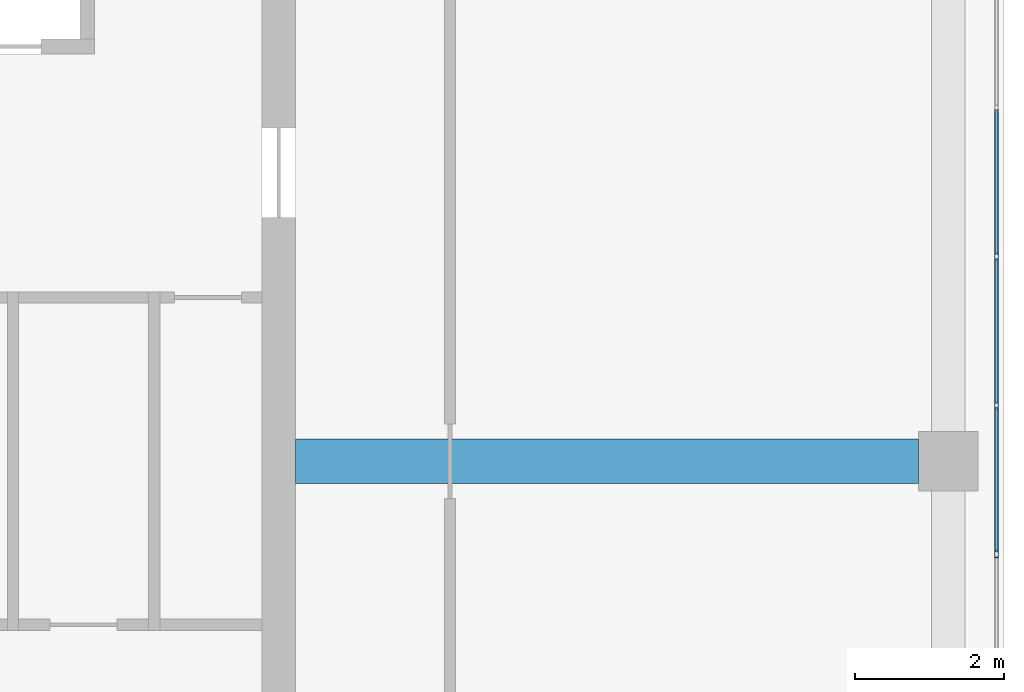
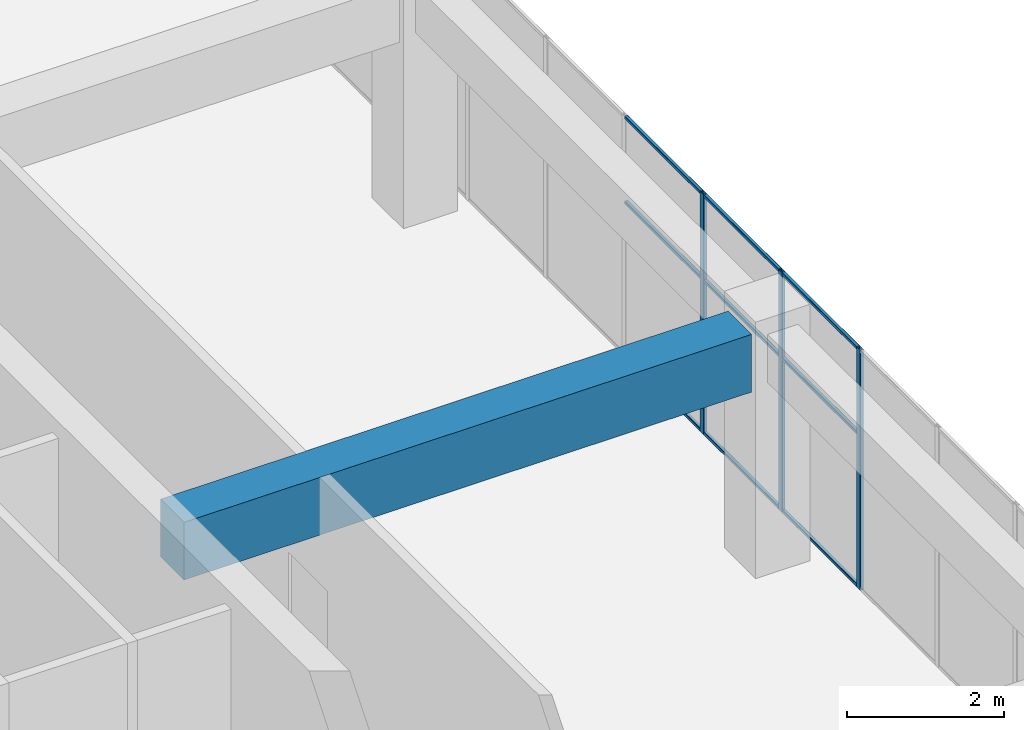
# One storey, part 41 of 66: 12 members, 1 beam, 1 element without a shape of its own.
"""IFC4 building model written with IfcOpenShell, lengths in metres."""

import ifcopenshell
import ifcopenshell.guid

model = None  # the IFC model being written
_history = None  # IfcOwnerHistory: only IFC2X3 demands one
_inside = {}  # id of a spatial element -> (the spatial element, [elements in it])
_under = {}  # id of a project, library or spatial element -> (it, [spatial elements below it])
_declared = {}  # id of a project -> (the project, [libraries it declares])
_typed = {}  # id of a type object -> (the type object, [elements of that type])
_made_of = {}  # id of a material, layer set ... -> (it, [elements and type objects made of it])


def new_model(schema):
    """Start an empty IFC model of exactly this schema.

    Asked for "IFC4X3", IfcOpenShell would pick the latest addendum, in which some entities
    have other attributes; the version numbers below select the first issue.
    IFC2X3 requires an IfcOwnerHistory on every rooted entity: one is made here for all.
    """
    global model, _history
    if schema == "IFC4X3":
        model = ifcopenshell.file(schema_version=(4, 3, 0, 0))
    else:
        model = ifcopenshell.file(schema=schema)
    _inside.clear()
    _under.clear()
    _declared.clear()
    _typed.clear()
    _made_of.clear()
    _history = None
    if model.schema == "IFC2X3":
        org = make("IfcOrganization", Name="unknown")
        user = make(
            "IfcPersonAndOrganization",
            ThePerson=make("IfcPerson", FamilyName="unknown"),
            TheOrganization=org,
        )
        app = make(
            "IfcApplication",
            ApplicationDeveloper=org,
            Version="unknown",
            ApplicationFullName="unknown",
            ApplicationIdentifier="unknown",
        )
        _history = make(
            "IfcOwnerHistory",
            OwningUser=user,
            OwningApplication=app,
            ChangeAction="ADDED",
            CreationDate=0,
        )
    return model


def make(cls, **values):
    """One entity of the class cls with the attributes given. An attribute that is None is left unset."""
    return model.create_entity(
        cls, **{name: value for name, value in values.items() if value is not None}
    )


def rooted(cls, **values):
    """An entity with a GlobalId (a new one), such as an element, a storey or a relation."""
    return make(cls, GlobalId=ifcopenshell.guid.new(), OwnerHistory=_history, **values)


def si_unit(unit_type, name, prefix=None):
    """IfcSIUnit, for example si_unit("LENGTHUNIT", "METRE", prefix="MILLI")."""
    return make("IfcSIUnit", UnitType=unit_type, Prefix=prefix, Name=name)


def assignment(units):
    """IfcUnitAssignment: the units of a project."""
    return None if units is None else make("IfcUnitAssignment", Units=units)


def point(xyz):
    """IfcCartesianPoint."""
    return None if xyz is None else make("IfcCartesianPoint", Coordinates=xyz)


def direction(xyz):
    """IfcDirection."""
    return None if xyz is None else make("IfcDirection", DirectionRatios=xyz)


def frame(location, z_axis=None, x_axis=None):
    """IfcAxis2Placement3D, a coordinate frame: its origin and axes. An axis left out is left unset."""
    return make(
        "IfcAxis2Placement3D",
        Location=point(location),
        Axis=direction(z_axis),
        RefDirection=direction(x_axis),
    )


def frame_2d(location, x_axis=None):
    """IfcAxis2Placement2D, a coordinate frame in the plane: its origin and x axis."""
    return make(
        "IfcAxis2Placement2D", Location=point(location), RefDirection=direction(x_axis)
    )


def origin():
    """The frame at (0, 0, 0) with its axes left unset."""
    return frame((0.0, 0.0, 0.0))


def origin_2d():
    """The frame at (0, 0) in the plane with its x axis left unset."""
    return frame_2d((0.0, 0.0))


def place(relative_to, where):
    """IfcLocalPlacement: puts the frame where relative to a parent placement (None: the world)."""
    return make(
        "IfcLocalPlacement", PlacementRelTo=relative_to, RelativePlacement=where
    )


def context(
    kind, dimensions, precision=None, world=None, true_north=None, identifier=None
):
    """IfcGeometricRepresentationContext, for example the 3D "Model" context."""
    return make(
        "IfcGeometricRepresentationContext",
        ContextIdentifier=identifier,
        ContextType=kind,
        CoordinateSpaceDimension=dimensions,
        Precision=precision,
        WorldCoordinateSystem=world,
        TrueNorth=true_north,
    )


def subcontext(parent, identifier, kind, view, scale=None):
    """IfcGeometricRepresentationSubContext, for example "Body" below "Model"."""
    return make(
        "IfcGeometricRepresentationSubContext",
        ContextIdentifier=identifier,
        ContextType=kind,
        ParentContext=parent,
        TargetScale=scale,
        TargetView=view,
    )


def project(units=None, contexts=None):
    """IfcProject with its units and contexts."""
    return rooted(
        "IfcProject",
        Name="project",
        RepresentationContexts=contexts,
        UnitsInContext=assignment(units),
    )


def spatial(cls, under=None, at=None, **own):
    """A site, building, storey or space (cls), placed at a placement, below another one or the project."""
    s = rooted(cls, ObjectPlacement=at, **own)
    if under is not None:
        _under.setdefault(under.id(), (under, []))[1].append(s)
    return s


def profile(cls, at=None, kind="AREA", **sizes):
    """A parametric profile (cls). Its sizes go by their IFC names, for example OverallWidth=200.0."""
    return make(cls, ProfileType=kind, Position=at, **sizes)


def rectangle(**sizes):
    """IfcRectangleProfileDef."""
    return profile("IfcRectangleProfileDef", **sizes)


def hollow_rectangle(**sizes):
    """IfcRectangleHollowProfileDef."""
    return profile("IfcRectangleHollowProfileDef", **sizes)


def extrude(swept, where, along, depth):
    """IfcExtrudedAreaSolid: the profile swept, set in the frame where, extruded along a direction by depth."""
    return make(
        "IfcExtrudedAreaSolid",
        SweptArea=swept,
        Position=where,
        ExtrudedDirection=direction(along),
        Depth=depth,
    )


def shape(context_of_items, identifier, shape_type, items):
    """IfcShapeRepresentation: the items that make up one representation, for example the "Body"."""
    return make(
        "IfcShapeRepresentation",
        ContextOfItems=context_of_items,
        RepresentationIdentifier=identifier,
        RepresentationType=shape_type,
        Items=items,
    )


def material(Name=None, Category=None):
    """IfcMaterial."""
    return make("IfcMaterial", Name=Name, Category=Category)


def layer(
    of_material, thickness, ventilated=None, Name=None, Category=None, Priority=None
):
    """IfcMaterialLayer: one layer of a wall or slab, of a material (None: an air gap)."""
    return make(
        "IfcMaterialLayer",
        Material=of_material,
        LayerThickness=thickness,
        IsVentilated=ventilated,
        Name=Name,
        Category=Category,
        Priority=Priority,
    )


def layer_set(layers, Name=None):
    """IfcMaterialLayerSet."""
    return make("IfcMaterialLayerSet", MaterialLayers=layers, LayerSetName=Name)


def material_profile(
    of_material, cross_section, Name=None, Category=None, Priority=None
):
    """IfcMaterialProfile: a cross section and its material."""
    return make(
        "IfcMaterialProfile",
        Name=Name,
        Material=of_material,
        Profile=cross_section,
        Priority=Priority,
        Category=Category,
    )


def profile_set(profiles, Name=None, composite=None):
    """IfcMaterialProfileSet."""
    return make(
        "IfcMaterialProfileSet",
        Name=Name,
        MaterialProfiles=profiles,
        CompositeProfile=composite,
    )


def made_of(thing, what):
    """Note that an element or type object is made of a material, layer set ...; save() writes the relation."""
    if what is not None:
        _made_of.setdefault(what.id(), (what, []))[1].append(thing)
    return thing


def type_object(cls, material=None, **own):
    """A type object (cls), such as IfcWallType, which elements share."""
    return made_of(rooted(cls, **own), material)


def element(
    cls,
    number,
    at=None,
    inside=None,
    cuts=None,
    type_object=None,
    material=None,
    context=None,
    identifier="Body",
    shape_type=None,
    held_by="IfcProductDefinitionShape",
    body=None,
    shapes=None,
    **own,
):
    """One element of the class cls, such as IfcWall. Its Tag is "e" and its number.

    at: its placement. inside: the storey or other place that contains it. cuts: it is an
    opening in that element (IfcRelVoidsElement). A single representation is given by context,
    identifier, shape_type and body (its items); several are given by shapes. held_by: the class
    of the entity that holds the representations. save() writes the other relations.
    """
    e = rooted(cls, Tag="e%d" % number, ObjectPlacement=at, **own)
    if body is not None:
        shapes = [shape(context, identifier, shape_type, body)]
    if shapes is not None:
        e.Representation = make(held_by, Representations=shapes)
    if inside is not None:
        _inside.setdefault(inside.id(), (inside, []))[1].append(e)
    if cuts is not None:
        rooted(
            "IfcRelVoidsElement", RelatingBuildingElement=cuts, RelatedOpeningElement=e
        )
    if type_object is not None:
        _typed.setdefault(type_object.id(), (type_object, []))[1].append(e)
    return made_of(e, material)


def aggregate(whole, parts):
    """IfcRelAggregates: a whole, such as a stair, and the parts it consists of."""
    return rooted("IfcRelAggregates", RelatingObject=whole, RelatedObjects=parts)


def save(model, path):
    """Write the relations noted so far, then the file.

    IfcRelAggregates (storeys below a building ...), IfcRelContainedInSpatialStructure (elements
    in a storey), IfcRelDefinesByType, IfcRelAssociatesMaterial and IfcRelDeclares: one each for
    every whole, place, type object, material and project.
    """
    for whole, parts in _under.values():
        aggregate(whole, parts)
    for where, things in _inside.values():
        rooted(
            "IfcRelContainedInSpatialStructure",
            RelatedElements=things,
            RelatingStructure=where,
        )
    for kind, things in _typed.values():
        rooted("IfcRelDefinesByType", RelatedObjects=things, RelatingType=kind)
    for what, things in _made_of.values():
        rooted("IfcRelAssociatesMaterial", RelatedObjects=things, RelatingMaterial=what)
    for by, libraries in _declared.values():
        rooted("IfcRelDeclares", RelatingContext=by, RelatedDefinitions=libraries)
    model.write(path)


model = new_model("IFC4")

# Units and contexts
model_context = context("Model", 3, precision=1e-05, world=origin(), true_north=direction((0.0, 1.0)))
body_context = subcontext(model_context, "Body", "Model", "MODEL_VIEW")
ifc_project = project(units=[si_unit("LENGTHUNIT", "METRE"), si_unit("AREAUNIT", "SQUARE_METRE"), si_unit("VOLUMEUNIT", "CUBIC_METRE"), si_unit("PLANEANGLEUNIT", "RADIAN"), si_unit("MASSUNIT", "GRAM", prefix="KILO")], contexts=[model_context])

# Site, building, storey
site_placement = place(None, origin())
site = spatial("IfcSite", under=ifc_project, at=site_placement, CompositionType="ELEMENT")
building_placement = place(site_placement, origin())
building = spatial("IfcBuilding", under=site, at=building_placement, Name="Tuart Plaza Theatre", CompositionType="ELEMENT")
storey_placement = place(building_placement, frame((0.0, 0.0, 5.5)))
storey = spatial("IfcBuildingStorey", under=building, at=storey_placement, Name="L01", CompositionType="ELEMENT", Elevation=5.5)

# Beam
ifc_material_1 = material(Name="Concrete N40 (40 MPa)", Category="concrete")
ifc_material_profile_1 = material_profile(ifc_material_1, rectangle(XDim=0.60009765625, YDim=0.89990234375, at=origin_2d()), Name="BEAM 600x900 Concrete N40 (40 MPa)")
ifc_profile_set_1 = profile_set([ifc_material_profile_1], Name="Concrete N40 (40 MPa)")
beam_type = type_object("IfcBeamType", Name="BEAM 600x900 Concrete N40 (40 MPa)", PredefinedType="BEAM", material=ifc_profile_set_1)
beam_placement = place(storey_placement, frame((141.22509765625, 74.0, 3.300048828125), z_axis=(1.0, 0.0, 0.0), x_axis=(0.0, 1.0, 0.0)))
element("IfcBeam", 1, at=beam_placement, inside=storey, type_object=beam_type, Name="RB195", PredefinedType="BEAM", context=body_context, shape_type="SweptSolid", body=[
    extrude(rectangle(XDim=0.60009765625, YDim=0.89990234375, at=origin_2d()), origin(), (0.0, 0.0, 1.0), 8.375),
])

# Curtain wall, members
ifc_material_2 = material(Name="Aluminium and glass", Category="aluminium")
ifc_layer = layer(ifc_material_2, 0.10009765625)
ifc_layer_set = layer_set([ifc_layer], Name="CURTAIN WALL 2000 module")
curtain_wall_type = type_object("IfcCurtainWallType", Name="CURTAIN WALL 2000 module", PredefinedType="NOTDEFINED", material=ifc_layer_set)
curtain_wall_placement = place(storey_placement, origin())
curtain_wall = element("IfcCurtainWall", 2, at=curtain_wall_placement, inside=storey, type_object=curtain_wall_type, Name="CW69", PredefinedType="NOTDEFINED")
ifc_material_3 = material(Name="Aluminium 6063-T5", Category="aluminium")
ifc_material_profile_2 = material_profile(ifc_material_3, hollow_rectangle(XDim=0.050048828125, YDim=0.10009765625, WallThickness=0.00390625, InnerFilletRadius=0.00390625, OuterFilletRadius=0.008056640625, at=origin_2d()), Name="RHS 100x50x4")
ifc_profile_set_2 = profile_set([ifc_material_profile_2], Name="Aluminium 6063-T5")
member_type_1 = type_object("IfcMemberType", Name="MULLION RHS 100x50x4", PredefinedType="MULLION", material=ifc_profile_set_2)
member_1_placement = place(storey_placement, frame((150.64990234375, 72.75, 0.0), z_axis=(0.0, 0.0, 1.0), x_axis=(-1.0, 0.0, 0.0)))
member_1 = element("IfcMember", 3, at=member_1_placement, type_object=member_type_1, Name="CW69 mullion 12", PredefinedType="MULLION", context=body_context, shape_type="SweptSolid", body=[
    extrude(hollow_rectangle(XDim=0.050048828125, YDim=0.10009765625, WallThickness=0.00390625, InnerFilletRadius=0.00390625, OuterFilletRadius=0.008056640625, at=origin_2d()), origin(), (0.0, 0.0, 1.0), 3.75),
])
member_2_placement = place(storey_placement, frame((150.64990234375, 74.75, 0.0), z_axis=(0.0, 0.0, 1.0), x_axis=(-1.0, 0.0, 0.0)))
member_2 = element("IfcMember", 4, at=member_2_placement, type_object=member_type_1, Name="CW69 mullion 13", PredefinedType="MULLION", context=body_context, shape_type="SweptSolid", body=[
    extrude(hollow_rectangle(XDim=0.050048828125, YDim=0.10009765625, WallThickness=0.00390625, InnerFilletRadius=0.00390625, OuterFilletRadius=0.008056640625, at=origin_2d()), origin(), (0.0, 0.0, 1.0), 3.75),
])
member_3_placement = place(storey_placement, frame((150.64990234375, 76.75, 0.0), z_axis=(0.0, 0.0, 1.0), x_axis=(-1.0, 0.0, 0.0)))
member_3 = element("IfcMember", 5, at=member_3_placement, type_object=member_type_1, Name="CW69 mullion 14", PredefinedType="MULLION", context=body_context, shape_type="SweptSolid", body=[
    extrude(hollow_rectangle(XDim=0.050048828125, YDim=0.10009765625, WallThickness=0.00390625, InnerFilletRadius=0.00390625, OuterFilletRadius=0.008056640625, at=origin_2d()), origin(), (0.0, 0.0, 1.0), 3.75),
])
ifc_material_4 = material(Name="Aluminium 6063-T5", Category="aluminium")
ifc_material_profile_3 = material_profile(ifc_material_4, hollow_rectangle(XDim=0.050048828125, YDim=0.050048828125, WallThickness=0.00390625, InnerFilletRadius=0.00390625, OuterFilletRadius=0.008056640625, at=origin_2d()), Name="RHS 50x50x4")
ifc_profile_set_3 = profile_set([ifc_material_profile_3], Name="Aluminium 6063-T5")
member_type_2 = type_object("IfcMemberType", Name="TRANSOM RHS 50x50x4", PredefinedType="USERDEFINED", material=ifc_profile_set_3)
member_4_placement = place(storey_placement, frame((150.64990234375, 72.77490234375, 0.02490234375), z_axis=(0.0, 1.0, 0.0), x_axis=(-1.0, 0.0, 0.0)))
member_4 = element("IfcMember", 6, at=member_4_placement, type_object=member_type_2, Name="CW69 transom 12.1", ObjectType="TRANSOM", PredefinedType="USERDEFINED", context=body_context, shape_type="SweptSolid", body=[
    extrude(hollow_rectangle(XDim=0.050048828125, YDim=0.050048828125, WallThickness=0.00390625, InnerFilletRadius=0.00390625, OuterFilletRadius=0.008056640625, at=origin_2d()), origin(), (0.0, 0.0, 1.0), 1.9501953125),
])
member_5_placement = place(storey_placement, frame((150.64990234375, 72.77490234375, 2.39990234375), z_axis=(0.0, 1.0, 0.0), x_axis=(-1.0, 0.0, 0.0)))
member_5 = element("IfcMember", 7, at=member_5_placement, type_object=member_type_2, Name="CW69 transom 12.2", ObjectType="TRANSOM", PredefinedType="USERDEFINED", context=body_context, shape_type="SweptSolid", body=[
    extrude(hollow_rectangle(XDim=0.050048828125, YDim=0.050048828125, WallThickness=0.00390625, InnerFilletRadius=0.00390625, OuterFilletRadius=0.008056640625, at=origin_2d()), origin(), (0.0, 0.0, 1.0), 1.9501953125),
])
member_6_placement = place(storey_placement, frame((150.64990234375, 72.77490234375, 3.72509765625), z_axis=(0.0, 1.0, 0.0), x_axis=(-1.0, 0.0, 0.0)))
member_6 = element("IfcMember", 8, at=member_6_placement, type_object=member_type_2, Name="CW69 transom 12.3", ObjectType="TRANSOM", PredefinedType="USERDEFINED", context=body_context, shape_type="SweptSolid", body=[
    extrude(hollow_rectangle(XDim=0.050048828125, YDim=0.050048828125, WallThickness=0.00390625, InnerFilletRadius=0.00390625, OuterFilletRadius=0.008056640625, at=origin_2d()), origin(), (0.0, 0.0, 1.0), 1.9501953125),
])
member_7_placement = place(storey_placement, frame((150.64990234375, 74.77490234375, 0.02490234375), z_axis=(0.0, 1.0, 0.0), x_axis=(-1.0, 0.0, 0.0)))
member_7 = element("IfcMember", 9, at=member_7_placement, type_object=member_type_2, Name="CW69 transom 13.1", ObjectType="TRANSOM", PredefinedType="USERDEFINED", context=body_context, shape_type="SweptSolid", body=[
    extrude(hollow_rectangle(XDim=0.050048828125, YDim=0.050048828125, WallThickness=0.00390625, InnerFilletRadius=0.00390625, OuterFilletRadius=0.008056640625, at=origin_2d()), origin(), (0.0, 0.0, 1.0), 1.9501953125),
])
member_8_placement = place(storey_placement, frame((150.64990234375, 74.77490234375, 2.39990234375), z_axis=(0.0, 1.0, 0.0), x_axis=(-1.0, 0.0, 0.0)))
member_8 = element("IfcMember", 10, at=member_8_placement, type_object=member_type_2, Name="CW69 transom 13.2", ObjectType="TRANSOM", PredefinedType="USERDEFINED", context=body_context, shape_type="SweptSolid", body=[
    extrude(hollow_rectangle(XDim=0.050048828125, YDim=0.050048828125, WallThickness=0.00390625, InnerFilletRadius=0.00390625, OuterFilletRadius=0.008056640625, at=origin_2d()), origin(), (0.0, 0.0, 1.0), 1.9501953125),
])
member_9_placement = place(storey_placement, frame((150.64990234375, 74.77490234375, 3.72509765625), z_axis=(0.0, 1.0, 0.0), x_axis=(-1.0, 0.0, 0.0)))
member_9 = element("IfcMember", 11, at=member_9_placement, type_object=member_type_2, Name="CW69 transom 13.3", ObjectType="TRANSOM", PredefinedType="USERDEFINED", context=body_context, shape_type="SweptSolid", body=[
    extrude(hollow_rectangle(XDim=0.050048828125, YDim=0.050048828125, WallThickness=0.00390625, InnerFilletRadius=0.00390625, OuterFilletRadius=0.008056640625, at=origin_2d()), origin(), (0.0, 0.0, 1.0), 1.9501953125),
])
member_10_placement = place(storey_placement, frame((150.64990234375, 76.77490234375, 0.02490234375), z_axis=(0.0, 1.0, 0.0), x_axis=(-1.0, 0.0, 0.0)))
member_10 = element("IfcMember", 12, at=member_10_placement, type_object=member_type_2, Name="CW69 transom 14.1", ObjectType="TRANSOM", PredefinedType="USERDEFINED", context=body_context, shape_type="SweptSolid", body=[
    extrude(hollow_rectangle(XDim=0.050048828125, YDim=0.050048828125, WallThickness=0.00390625, InnerFilletRadius=0.00390625, OuterFilletRadius=0.008056640625, at=origin_2d()), origin(), (0.0, 0.0, 1.0), 1.9501953125),
])
member_11_placement = place(storey_placement, frame((150.64990234375, 76.77490234375, 2.39990234375), z_axis=(0.0, 1.0, 0.0), x_axis=(-1.0, 0.0, 0.0)))
member_11 = element("IfcMember", 13, at=member_11_placement, type_object=member_type_2, Name="CW69 transom 14.2", ObjectType="TRANSOM", PredefinedType="USERDEFINED", context=body_context, shape_type="SweptSolid", body=[
    extrude(hollow_rectangle(XDim=0.050048828125, YDim=0.050048828125, WallThickness=0.00390625, InnerFilletRadius=0.00390625, OuterFilletRadius=0.008056640625, at=origin_2d()), origin(), (0.0, 0.0, 1.0), 1.9501953125),
])
member_12_placement = place(storey_placement, frame((150.64990234375, 76.77490234375, 3.72509765625), z_axis=(0.0, 1.0, 0.0), x_axis=(-1.0, 0.0, 0.0)))
member_12 = element("IfcMember", 14, at=member_12_placement, type_object=member_type_2, Name="CW69 transom 14.3", ObjectType="TRANSOM", PredefinedType="USERDEFINED", context=body_context, shape_type="SweptSolid", body=[
    extrude(hollow_rectangle(XDim=0.050048828125, YDim=0.050048828125, WallThickness=0.00390625, InnerFilletRadius=0.00390625, OuterFilletRadius=0.008056640625, at=origin_2d()), origin(), (0.0, 0.0, 1.0), 1.9501953125),
])
aggregate(curtain_wall, [member_1, member_2, member_3, member_4, member_5, member_6, member_7, member_8, member_9, member_10, member_11, member_12])

save(model, "model.ifc")
